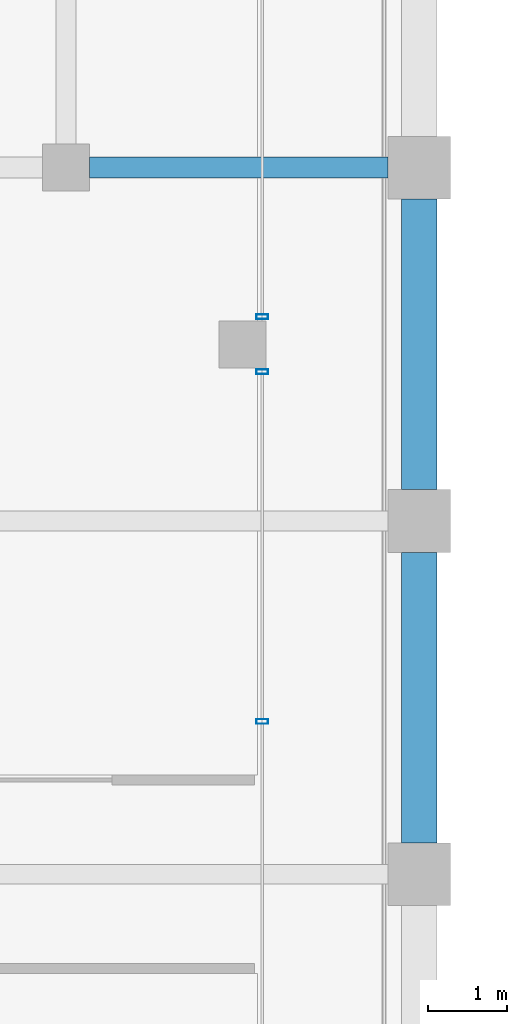
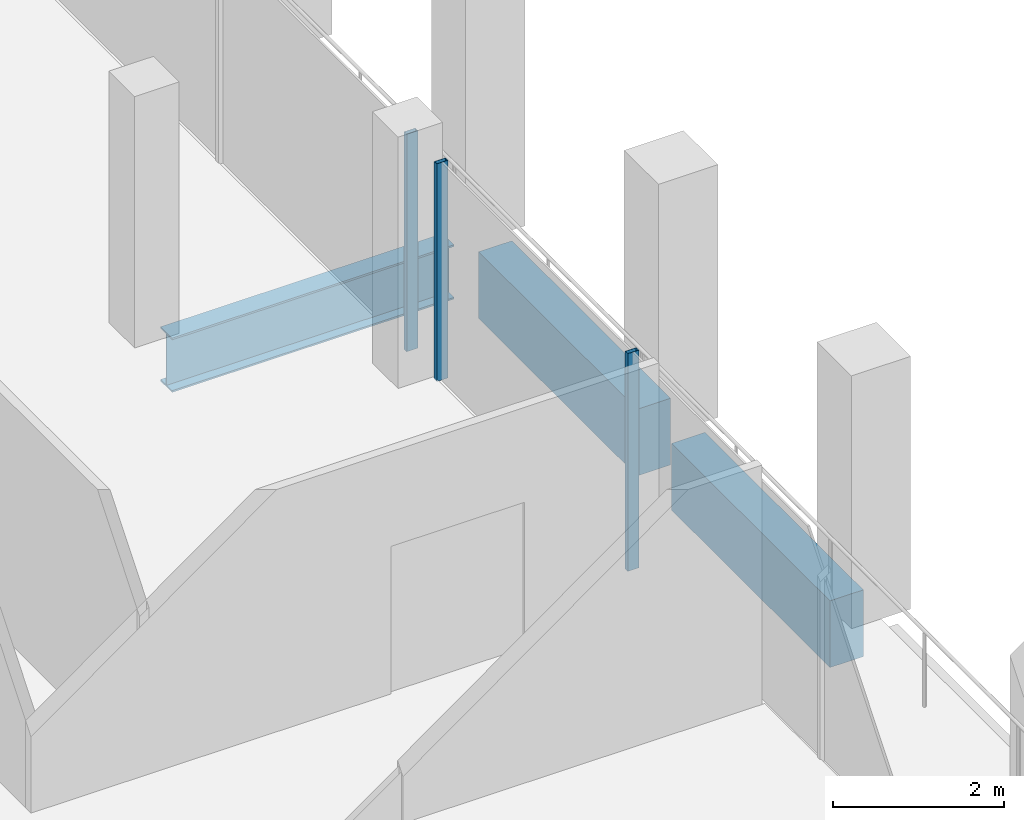
# One storey, part 19 of 40: 3 beams, 3 members, 2 elements without a shape of their own.
"""IFC4 building model written with IfcOpenShell, lengths in metres."""

from ifc_helpers import new_model, si_unit, direction, frame, origin, origin_2d, place, context, subcontext, project, spatial, rectangle, hollow_rectangle, i_section, extrude, material, material_profile, profile_set, type_object, element, aggregate, save


model = new_model("IFC4")

# Units and contexts
model_context = context("Model", 3, precision=1e-05, world=origin(), true_north=direction((0.0, 1.0)))
body_context = subcontext(model_context, "Body", "Model", "MODEL_VIEW")
ifc_project = project(units=[si_unit("LENGTHUNIT", "METRE"), si_unit("AREAUNIT", "SQUARE_METRE"), si_unit("VOLUMEUNIT", "CUBIC_METRE"), si_unit("PLANEANGLEUNIT", "RADIAN"), si_unit("MASSUNIT", "GRAM", prefix="KILO")], contexts=[model_context])

# Site, building, storey
site_placement = place(None, origin())
site = spatial("IfcSite", under=ifc_project, at=site_placement, CompositionType="ELEMENT")
building_placement = place(site_placement, origin())
building = spatial("IfcBuilding", under=site, at=building_placement, Name="Altepetl Exchange Towers", CompositionType="ELEMENT")
storey_placement = place(building_placement, frame((0.0, 0.0, 202.800048828125)))
storey = spatial("IfcBuildingStorey", under=building, at=storey_placement, Name="L51", CompositionType="ELEMENT", Elevation=202.800048828125)

# Beam
ifc_material_1 = material(Name="Steel S355", Category="steel")
ifc_material_profile_1 = material_profile(ifc_material_1, i_section(OverallWidth=0.26806640625, OverallDepth=0.77392578125, WebThickness=0.015380859375, FlangeThickness=0.025390625, at=origin_2d()), Name="W30X132")
ifc_profile_set_1 = profile_set([ifc_material_profile_1], Name="Steel S355")
beam_type_1 = type_object("IfcBeamType", Name="Girder W30X132", PredefinedType="BEAM", material=ifc_profile_set_1)
beam_placement = place(storey_placement, frame((67.800048828125, 58.5, -0.537109375), z_axis=(1.0, 0.0, 0.0), x_axis=(0.0, 1.0, 0.0)))
element("IfcBeam", 1, at=beam_placement, inside=storey, type_object=beam_type_1, Name="gd:A:L51:002", PredefinedType="BEAM", context=body_context, shape_type="SweptSolid", body=[
    extrude(i_section(OverallWidth=0.26806640625, OverallDepth=0.77392578125, WebThickness=0.015380859375, FlangeThickness=0.025390625, at=origin_2d()), origin(), (0.0, 0.0, 1.0), 3.800048828125),
])

# Curtain wall, members
ifc_material_2 = material(Name="Aluminium 6063-T6 glazing", Category="aluminium")
curtain_wall_type = type_object("IfcCurtainWallType", Name="Loggia glazing system", PredefinedType="NOTDEFINED", material=ifc_material_2)
curtain_wall_1_placement = place(storey_placement, origin())
curtain_wall_1 = element("IfcCurtainWall", 2, at=curtain_wall_1_placement, inside=storey, type_object=curtain_wall_type, Name="CW1 run", PredefinedType="NOTDEFINED")
ifc_material_3 = material(Name="Aluminium 6063-T6", Category="aluminium")
ifc_material_profile_2 = material_profile(ifc_material_3, hollow_rectangle(XDim=0.06005859375, YDim=0.14990234375, WallThickness=0.0029296875, at=origin_2d()), Name="Mullion 60x150 aluminium")
ifc_profile_set_2 = profile_set([ifc_material_profile_2], Name="Aluminium 6063-T6")
member_type = type_object("IfcMemberType", Name="Mullion 60x150 aluminium", PredefinedType="MULLION", material=ifc_profile_set_2)
member_1_placement = place(storey_placement, frame((70.0, 51.444091796875, 0.0), z_axis=(0.0, 0.0, 1.0), x_axis=(0.0, 1.0, 0.0)))
member_1 = element("IfcMember", 3, at=member_1_placement, type_object=member_type, Name="MU1 mullion", PredefinedType="MULLION", context=body_context, shape_type="SweptSolid", body=[
    extrude(hollow_rectangle(XDim=0.06005859375, YDim=0.14990234375, WallThickness=0.0029296875, at=origin_2d()), origin(), (0.0, 0.0, 1.0), 3.099853515625),
])
member_2_placement = place(storey_placement, frame((70.0, 55.89990234375, 0.0), z_axis=(0.0, 0.0, 1.0), x_axis=(0.0, 1.0, 0.0)))
member_2 = element("IfcMember", 4, at=member_2_placement, type_object=member_type, Name="MU1 mullion", PredefinedType="MULLION", context=body_context, shape_type="SweptSolid", body=[
    extrude(hollow_rectangle(XDim=0.06005859375, YDim=0.14990234375, WallThickness=0.0029296875, at=origin_2d()), origin(), (0.0, 0.0, 1.0), 3.099853515625),
])
aggregate(curtain_wall_1, [member_1, member_2])

# Curtain wall, member
curtain_wall_2_placement = place(storey_placement, origin())
curtain_wall_2 = element("IfcCurtainWall", 5, at=curtain_wall_2_placement, inside=storey, type_object=curtain_wall_type, Name="CW1 run", PredefinedType="NOTDEFINED")
member_3_placement = place(storey_placement, frame((70.0, 56.60009765625, 0.0), z_axis=(0.0, 0.0, 1.0), x_axis=(0.0, 1.0, 0.0)))
member_3 = element("IfcMember", 6, at=member_3_placement, type_object=member_type, Name="MU1 mullion", PredefinedType="MULLION", context=body_context, shape_type="SweptSolid", body=[
    extrude(hollow_rectangle(XDim=0.06005859375, YDim=0.14990234375, WallThickness=0.0029296875, at=origin_2d()), origin(), (0.0, 0.0, 1.0), 3.099853515625),
])
aggregate(curtain_wall_2, [member_3])

# Beams
ifc_material_4 = material(Name="Concrete C50/60 precast with cantera amarilla facing", Category="concrete")
ifc_material_profile_3 = material_profile(ifc_material_4, rectangle(XDim=0.449951171875, YDim=0.949951171875, at=origin_2d()), Name="450 x 950")
ifc_profile_set_3 = profile_set([ifc_material_profile_3], Name="Concrete C50/60 precast with cantera amarilla facing")
beam_type_2 = type_object("IfcBeamType", Name="Spandrel beam 450x950 cantera amarilla", PredefinedType="SPANDREL", material=ifc_profile_set_3)
for number, where, z_axis, x_axis, name in (
    (7, (72.0, 49.89990234375, -0.625), (0.0, 1.0, 0.0), (-1.0, 0.0, 0.0), "sp:A:L51:016"),
    (8, (72.0, 54.39990234375, -0.625), (0.0, 1.0, 0.0), (-1.0, 0.0, 0.0), "sp:A:L51:017"),
):
    element("IfcBeam", number, at=place(storey_placement, frame(where, z_axis=z_axis, x_axis=x_axis)), inside=storey, type_object=beam_type_2, Name=name, PredefinedType="SPANDREL", context=body_context, shape_type="SweptSolid", body=[
        extrude(rectangle(XDim=0.449951171875, YDim=0.949951171875, at=origin_2d()), origin(), (0.0, 0.0, 1.0), 3.7001953125),
    ])

save(model, "model.ifc")
